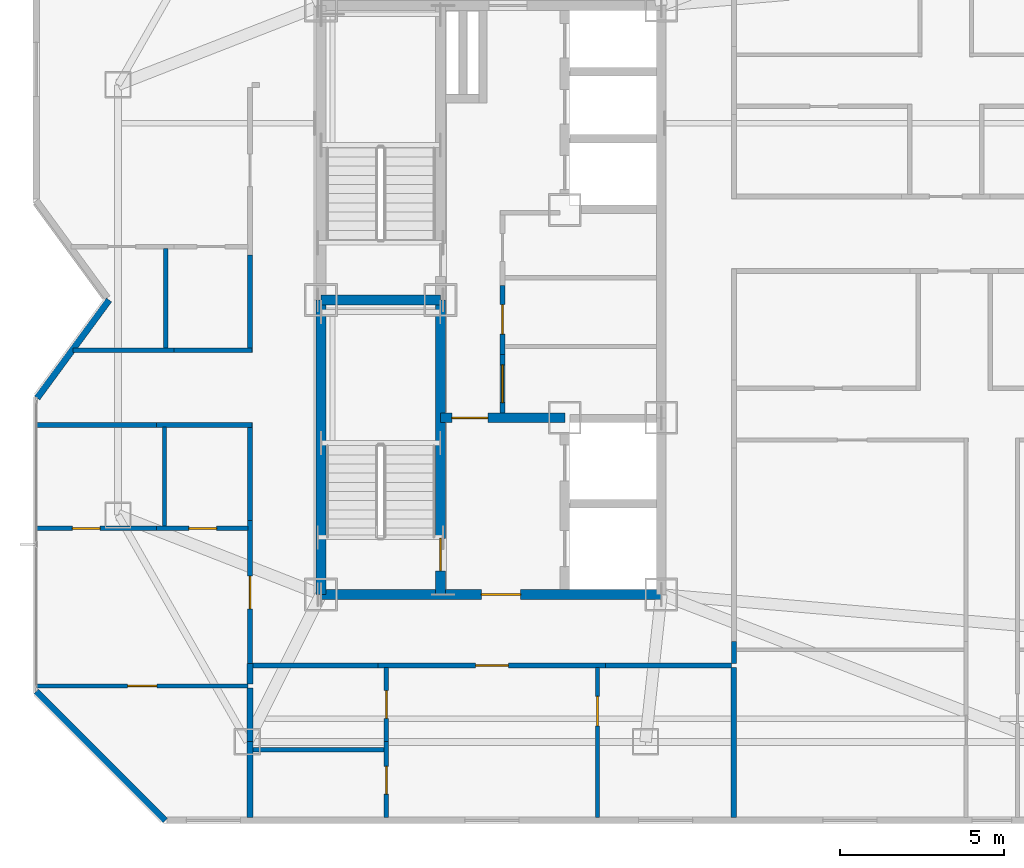
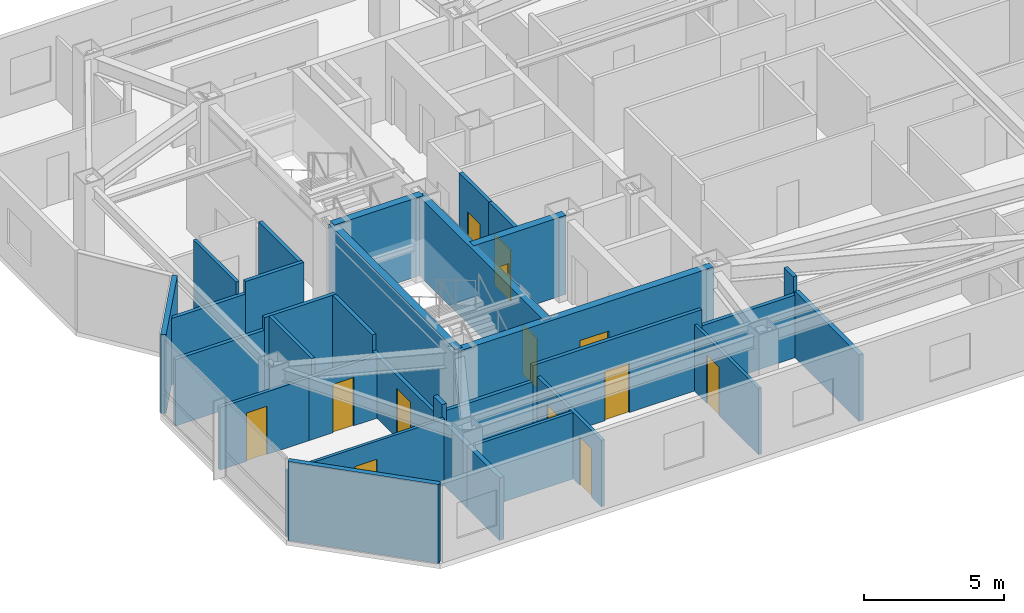
# One storey, part 8 of 14: 33 walls, 13 doors, 13 openings.
"""IFC4 building model written with IfcOpenShell, lengths in metres."""

from ifc_helpers import new_model, si_unit, direction, frame, frame_2d, origin, place, context, subcontext, project, spatial, rectangle, extrude, material, layer, layer_set, type_object, element, fill, save


model = new_model("IFC4")

# Units and contexts
model_context = context("Model", 3, precision=1e-05, world=origin(), true_north=direction((0.0, 1.0)))
body_context = subcontext(model_context, "Body", "Model", "MODEL_VIEW")
ifc_project = project(units=[si_unit("LENGTHUNIT", "METRE"), si_unit("AREAUNIT", "SQUARE_METRE"), si_unit("VOLUMEUNIT", "CUBIC_METRE"), si_unit("PLANEANGLEUNIT", "RADIAN"), si_unit("MASSUNIT", "GRAM", prefix="KILO")], contexts=[model_context])

# Site, building, storey
site_placement = place(None, origin())
site = spatial("IfcSite", under=ifc_project, at=site_placement, CompositionType="ELEMENT")
building_placement = place(site_placement, origin())
building = spatial("IfcBuilding", under=site, at=building_placement, Name="Khamvora Tower", CompositionType="ELEMENT")
storey_placement = place(building_placement, frame((0.0, 0.0, 242.75)))
storey = spatial("IfcBuildingStorey", under=building, at=storey_placement, Name="L62", CompositionType="ELEMENT", Elevation=242.75)

# Wall
ifc_material_1 = material(Name="Concrete C50/60", Category="concrete")
ifc_layer_1 = layer(ifc_material_1, 0.300048828125)
ifc_layer_set_1 = layer_set([ifc_layer_1], Name="Concrete C50/60")
wall_type_1 = type_object("IfcWallType", Name="WAL-CORE-300", PredefinedType="SHEAR", material=ifc_layer_set_1)
wall_1_placement = place(storey_placement, frame((29.0, 19.0, 0.0), z_axis=(0.0, 0.0, 1.0), x_axis=(0.0, 1.0, 0.0)))
element("IfcWall", 1, at=wall_1_placement, inside=storey, type_object=wall_type_1, Name="L62 central core west south wall", PredefinedType="SHEAR", context=body_context, shape_type="SweptSolid", body=[
    extrude(rectangle(XDim=9.0, YDim=0.300048828125, at=frame_2d((4.5, 0.0))), origin(), (0.0, 0.0, 1.0), 3.429931640625),
])

# Wall, opening, door
wall_2_placement = place(storey_placement, frame((29.0, 19.0, 0.0), z_axis=(0.0, 0.0, 1.0), x_axis=(1.0, 0.0, 0.0)))
wall_2 = element("IfcWall", 2, at=wall_2_placement, inside=storey, type_object=wall_type_1, Name="L62 central core south wall", PredefinedType="SHEAR", context=body_context, shape_type="SweptSolid", body=[
    extrude(rectangle(XDim=10.39990234375, YDim=0.300048828125, at=frame_2d((5.199951171875, 0.0))), origin(), (0.0, 0.0, 1.0), 3.429931640625),
])
opening_1_placement = place(wall_2_placement, frame((4.89990234375, 0.0, 0.0)))
opening_1 = element("IfcOpeningElement", 3, at=opening_1_placement, cuts=wall_2, Name="Opening D-CR1", PredefinedType="OPENING", context=body_context, shape_type="SweptSolid", body=[
    extrude(rectangle(XDim=1.199951171875, YDim=2.14990234375, at=frame_2d((0.60009765625, 1.074951171875))), frame((0.0, 0.159912109375, 0.0), z_axis=(0.0, -1.0, 0.0), x_axis=(1.0, 0.0, 0.0)), (0.0, 0.0, 1.0), 0.320068359375),
])
ifc_material_2 = material(Name="Powder-Coated Steel and Hardwood Leaf", Category="steel")
door_type_1 = type_object("IfcDoorType", Name="DOR-CORR-1200", OperationType="NOTDEFINED", PredefinedType="DOOR", material=ifc_material_2)
door_1_placement = place(opening_1_placement, origin())
door_1 = element("IfcDoor", 4, at=door_1_placement, inside=storey, type_object=door_type_1, Name="L62 south core lobby to corridor fire door", OperationType="SINGLE_SWING_LEFT", OverallHeight=2.14990234375, OverallWidth=1.199951171875, PredefinedType="DOOR", context=body_context, shape_type="SweptSolid", body=[
    extrude(rectangle(XDim=1.199951171875, YDim=2.14990234375, at=frame_2d((0.60009765625, 1.074951171875))), frame((0.0, 0.02490234375, 0.0), z_axis=(0.0, -1.0, 0.0), x_axis=(1.0, 0.0, 0.0)), (0.0, 0.0, 1.0), 0.050048828125),
])
fill(opening_1, door_1)

wall_3_placement = place(storey_placement, frame((32.64990234375, 19.0, 0.0), z_axis=(0.0, 0.0, 1.0), x_axis=(0.0, 1.0, 0.0)))
wall_3 = element("IfcWall", 5, at=wall_3_placement, inside=storey, type_object=wall_type_1, Name="L62 central core stair south spine wall", PredefinedType="SHEAR", context=body_context, shape_type="SweptSolid", body=[
    extrude(rectangle(XDim=9.0, YDim=0.300048828125, at=frame_2d((4.5, 0.0))), origin(), (0.0, 0.0, 1.0), 3.429931640625),
])
opening_2_placement = place(wall_3_placement, frame((0.719970703125, 0.0, 0.0)))
opening_2 = element("IfcOpeningElement", 6, at=opening_2_placement, cuts=wall_3, Name="Opening D-ST1", PredefinedType="OPENING", context=body_context, shape_type="SweptSolid", body=[
    extrude(rectangle(XDim=1.0, YDim=2.14990234375, at=frame_2d((0.5, 1.074951171875))), frame((0.0, 0.159912109375, 0.0), z_axis=(0.0, -1.0, 0.0), x_axis=(1.0, 0.0, 0.0)), (0.0, 0.0, 1.0), 0.320068359375),
])
door_type_2 = type_object("IfcDoorType", Name="DOR-STAIR-1000", OperationType="NOTDEFINED", PredefinedType="DOOR", material=ifc_material_2)
door_2_placement = place(opening_2_placement, origin())
door_2 = element("IfcDoor", 7, at=door_2_placement, inside=storey, type_object=door_type_2, Name="L62 exit stair ST-01 fire door", OperationType="SINGLE_SWING_RIGHT", OverallHeight=2.14990234375, OverallWidth=1.0, PredefinedType="DOOR", context=body_context, shape_type="SweptSolid", body=[
    extrude(rectangle(XDim=1.0, YDim=2.14990234375, at=frame_2d((0.5, 1.074951171875))), frame((0.0, 0.02490234375, 0.0), z_axis=(0.0, -1.0, 0.0), x_axis=(1.0, 0.0, 0.0)), (0.0, 0.0, 1.0), 0.050048828125),
])
fill(opening_2, door_2)

# Wall
wall_4_placement = place(storey_placement, frame((29.0, 28.0, 0.0), z_axis=(0.0, 0.0, 1.0), x_axis=(1.0, 0.0, 0.0)))
element("IfcWall", 8, at=wall_4_placement, inside=storey, type_object=wall_type_1, Name="L62 central core stair cross wall", PredefinedType="SHEAR", context=body_context, shape_type="SweptSolid", body=[
    extrude(rectangle(XDim=3.64990234375, YDim=0.300048828125, at=frame_2d((1.824951171875, 0.0))), origin(), (0.0, 0.0, 1.0), 3.429931640625),
])

# Wall, opening, door
wall_5_placement = place(storey_placement, frame((32.64990234375, 24.39990234375, 0.0), z_axis=(0.0, 0.0, 1.0), x_axis=(1.0, 0.0, 0.0)))
wall_5 = element("IfcWall", 9, at=wall_5_placement, inside=storey, type_object=wall_type_1, Name="L62 central core firefighting lobby north wall", PredefinedType="SHEAR", context=body_context, shape_type="SweptSolid", body=[
    extrude(rectangle(XDim=3.800048828125, YDim=0.300048828125, at=frame_2d((1.89990234375, 0.0))), origin(), (0.0, 0.0, 1.0), 3.429931640625),
])
opening_3_placement = place(wall_5_placement, frame((0.35009765625, 0.0, 0.0)))
opening_3 = element("IfcOpeningElement", 10, at=opening_3_placement, cuts=wall_5, Name="Opening D-FF1", PredefinedType="OPENING", context=body_context, shape_type="SweptSolid", body=[
    extrude(rectangle(XDim=1.10009765625, YDim=2.14990234375, at=frame_2d((0.550048828125, 1.074951171875))), frame((0.0, 0.159912109375, 0.0), z_axis=(0.0, -1.0, 0.0), x_axis=(1.0, 0.0, 0.0)), (0.0, 0.0, 1.0), 0.320068359375),
])
door_type_3 = type_object("IfcDoorType", Name="DOR-FFLOB-1100", OperationType="NOTDEFINED", PredefinedType="DOOR", material=ifc_material_2)
door_3_placement = place(opening_3_placement, origin())
door_3 = element("IfcDoor", 11, at=door_3_placement, inside=storey, type_object=door_type_3, Name="L62 firefighting lobby smoke-seal fire door", OperationType="SINGLE_SWING_RIGHT", OverallHeight=2.14990234375, OverallWidth=1.10009765625, PredefinedType="DOOR", context=body_context, shape_type="SweptSolid", body=[
    extrude(rectangle(XDim=1.10009765625, YDim=2.14990234375, at=frame_2d((0.550048828125, 1.074951171875))), frame((0.0, 0.02490234375, 0.0), z_axis=(0.0, -1.0, 0.0), x_axis=(1.0, 0.0, 0.0)), (0.0, 0.0, 1.0), 0.050048828125),
])
fill(opening_3, door_3)

ifc_material_3 = material(Name="Fire-Rated Drywall and Steel Stud", Category="steel")
ifc_layer_2 = layer(ifc_material_3, 0.14990234375)
ifc_layer_set_2 = layer_set([ifc_layer_2], Name="Fire-Rated Drywall and Steel Stud")
wall_type_2 = type_object("IfcWallType", Name="WAL-CORR-150", PredefinedType="STANDARD", material=ifc_layer_set_2)
wall_6_placement = place(storey_placement, frame((34.544921875, 28.43603515625, 0.0), z_axis=(0.0, 0.0, 1.0), x_axis=(0.0, -1.0, 0.0)))
wall_6 = element("IfcWall", 12, at=wall_6_placement, inside=storey, type_object=wall_type_2, Name="L62 interior partition wall 003", PredefinedType="STANDARD", context=body_context, shape_type="SweptSolid", body=[
    extrude(rectangle(XDim=2.10009765625, YDim=0.14990234375, at=frame_2d((1.050048828125, 0.0))), origin(), (0.0, 0.0, 1.0), 3.429931640625),
])
opening_4_placement = place(wall_6_placement, frame((0.5791015625, 0.0, 0.0)))
opening_4 = element("IfcOpeningElement", 13, at=opening_4_placement, cuts=wall_6, Name="Opening D-RM1", PredefinedType="OPENING", context=body_context, shape_type="SweptSolid", body=[
    extrude(rectangle(XDim=0.89990234375, YDim=2.10009765625, at=frame_2d((0.449951171875, 1.050048828125))), frame((0.0, 0.0849609375, 0.0), z_axis=(0.0, -1.0, 0.0), x_axis=(1.0, 0.0, 0.0)), (0.0, 0.0, 1.0), 0.169921875),
])
door_type_4 = type_object("IfcDoorType", Name="DOR-ROOM-900", OperationType="NOTDEFINED", PredefinedType="DOOR", material=ifc_material_2)
door_4_placement = place(opening_4_placement, origin())
door_4 = element("IfcDoor", 14, at=door_4_placement, inside=storey, type_object=door_type_4, Name="L62 interior door PHL-CS2", OperationType="SINGLE_SWING_RIGHT", OverallHeight=2.10009765625, OverallWidth=0.89990234375, PredefinedType="DOOR", context=body_context, shape_type="SweptSolid", body=[
    extrude(rectangle(XDim=0.89990234375, YDim=2.10009765625, at=frame_2d((0.449951171875, 1.050048828125))), frame((0.0, 0.02490234375, 0.0), z_axis=(0.0, -1.0, 0.0), x_axis=(1.0, 0.0, 0.0)), (0.0, 0.0, 1.0), 0.050048828125),
])
fill(opening_4, door_4)

wall_7_placement = place(storey_placement, frame((34.544921875, 26.3359375, 0.0), z_axis=(0.0, 0.0, 1.0), x_axis=(0.0, -1.0, 0.0)))
wall_7 = element("IfcWall", 15, at=wall_7_placement, inside=storey, type_object=wall_type_2, Name="L62 interior partition wall 004", PredefinedType="STANDARD", context=body_context, shape_type="SweptSolid", body=[
    extrude(rectangle(XDim=1.7919921875, YDim=0.14990234375, at=frame_2d((0.89599609375, 0.0))), origin(), (0.0, 0.0, 1.0), 3.429931640625),
])
opening_5_placement = place(wall_7_placement, frame((0.321044921875, 0.0, 0.0)))
opening_5 = element("IfcOpeningElement", 16, at=opening_5_placement, cuts=wall_7, Name="Opening D-SC1", PredefinedType="OPENING", context=body_context, shape_type="SweptSolid", body=[
    extrude(rectangle(XDim=1.14990234375, YDim=2.199951171875, at=frame_2d((0.574951171875, 1.10009765625))), frame((0.0, 0.0849609375, 0.0), z_axis=(0.0, -1.0, 0.0), x_axis=(1.0, 0.0, 0.0)), (0.0, 0.0, 1.0), 0.169921875),
])
door_type_5 = type_object("IfcDoorType", Name="DOR-SCHL-1150", OperationType="NOTDEFINED", PredefinedType="DOOR", material=ifc_material_2)
door_5_placement = place(opening_5_placement, origin())
door_5 = element("IfcDoor", 17, at=door_5_placement, inside=storey, type_object=door_type_5, Name="L62 interior door PHL-CS3", OperationType="SINGLE_SWING_LEFT", OverallHeight=2.199951171875, OverallWidth=1.14990234375, PredefinedType="DOOR", context=body_context, shape_type="SweptSolid", body=[
    extrude(rectangle(XDim=1.14990234375, YDim=2.199951171875, at=frame_2d((0.574951171875, 1.10009765625))), frame((0.0, 0.02490234375, 0.0), z_axis=(0.0, -1.0, 0.0), x_axis=(1.0, 0.0, 0.0)), (0.0, 0.0, 1.0), 0.050048828125),
])
fill(opening_5, door_5)

wall_8_placement = place(storey_placement, frame((26.8349609375, 16.89990234375, 0.0), z_axis=(0.0, 0.0, 1.0), x_axis=(0.0, 1.0, 0.0)))
wall_8 = element("IfcWall", 18, at=wall_8_placement, inside=storey, type_object=wall_type_2, Name="L62 interior partition wall 008", PredefinedType="STANDARD", context=body_context, shape_type="SweptSolid", body=[
    extrude(rectangle(XDim=4.369140625, YDim=0.14990234375, at=frame_2d((2.1845703125, 0.0))), origin(), (0.0, 0.0, 1.0), 2.72509765625),
])
opening_6_placement = place(wall_8_placement, frame((1.6630859375, 0.0, 0.0)))
opening_6 = element("IfcOpeningElement", 19, at=opening_6_placement, cuts=wall_8, Name="Opening D-U1", PredefinedType="OPENING", context=body_context, shape_type="SweptSolid", body=[
    extrude(rectangle(XDim=1.0, YDim=2.14990234375, at=frame_2d((0.5, 1.074951171875))), frame((0.0, 0.0849609375, 0.0), z_axis=(0.0, -1.0, 0.0), x_axis=(1.0, 0.0, 0.0)), (0.0, 0.0, 1.0), 0.169921875),
])
door_type_6 = type_object("IfcDoorType", Name="DOR-UNIT-1000", OperationType="NOTDEFINED", PredefinedType="DOOR", material=ifc_material_2)
door_6_placement = place(opening_6_placement, origin())
door_6 = element("IfcDoor", 20, at=door_6_placement, inside=storey, type_object=door_type_6, Name="L62 interior door COR-62WAH", OperationType="SINGLE_SWING_LEFT", OverallHeight=2.14990234375, OverallWidth=1.0, PredefinedType="DOOR", context=body_context, shape_type="SweptSolid", body=[
    extrude(rectangle(XDim=1.0, YDim=2.14990234375, at=frame_2d((0.5, 1.074951171875))), frame((0.0, 0.02490234375, 0.0), z_axis=(0.0, -1.0, 0.0), x_axis=(1.0, 0.0, 0.0)), (0.0, 0.0, 1.0), 0.050048828125),
])
fill(opening_6, door_6)

# Walls
wall_9_placement = place(storey_placement, frame((26.8349609375, 21.26904296875, 0.0), z_axis=(0.0, 0.0, 1.0), x_axis=(0.0, 1.0, 0.0)))
element("IfcWall", 21, at=wall_9_placement, inside=storey, type_object=wall_type_2, Name="L62 interior partition wall 009", PredefinedType="STANDARD", context=body_context, shape_type="SweptSolid", body=[
    extrude(rectangle(XDim=2.98095703125, YDim=0.14990234375, at=frame_2d((1.490478515625, 0.0))), origin(), (0.0, 0.0, 1.0), 3.429931640625),
])
wall_10_placement = place(storey_placement, frame((26.89794921875, 24.18505859375, 0.0), z_axis=(0.0, 0.0, 1.0), x_axis=(-1.0, 0.0, 0.0)))
element("IfcWall", 22, at=wall_10_placement, inside=storey, type_object=wall_type_2, Name="L62 interior partition wall 010", PredefinedType="STANDARD", context=body_context, shape_type="SweptSolid", body=[
    extrude(rectangle(XDim=2.927001953125, YDim=0.14990234375, at=frame_2d((1.46337890625, 0.0))), origin(), (0.0, 0.0, 1.0), 3.429931640625),
])
wall_11_placement = place(storey_placement, frame((23.970947265625, 24.18505859375, 0.0), z_axis=(0.0, 0.0, 1.0), x_axis=(-1.0, 0.0, 0.0)))
element("IfcWall", 23, at=wall_11_placement, inside=storey, type_object=wall_type_2, Name="L62 interior partition wall 011", PredefinedType="STANDARD", context=body_context, shape_type="SweptSolid", body=[
    extrude(rectangle(XDim=3.660888671875, YDim=0.14990234375, at=frame_2d((1.83056640625, 0.0))), origin(), (0.0, 0.0, 1.0), 2.886962890625),
])
wall_12_placement = place(storey_placement, frame((21.427001953125, 26.465087890625, 0.0), z_axis=(0.0, 0.0, 1.0), x_axis=(1.0, 0.0, 0.0)))
element("IfcWall", 24, at=wall_12_placement, inside=storey, type_object=wall_type_2, Name="L62 interior partition wall 014", PredefinedType="STANDARD", context=body_context, shape_type="SweptSolid", body=[
    extrude(rectangle(XDim=3.08203125, YDim=0.14990234375, at=frame_2d((1.541015625, 0.0))), origin(), (0.0, 0.0, 1.0), 2.886962890625),
])
wall_13_placement = place(storey_placement, frame((24.509033203125, 26.465087890625, 0.0), z_axis=(0.0, 0.0, 1.0), x_axis=(1.0, 0.0, 0.0)))
element("IfcWall", 25, at=wall_13_placement, inside=storey, type_object=wall_type_2, Name="L62 interior partition wall 015", PredefinedType="STANDARD", context=body_context, shape_type="SweptSolid", body=[
    extrude(rectangle(XDim=2.390869140625, YDim=0.14990234375, at=frame_2d((1.1953125, 0.0))), origin(), (0.0, 0.0, 1.0), 3.429931640625),
])
wall_14_placement = place(storey_placement, frame((26.8349609375, 26.39990234375, 0.0), z_axis=(0.0, 0.0, 1.0), x_axis=(0.0, 1.0, 0.0)))
element("IfcWall", 26, at=wall_14_placement, inside=storey, type_object=wall_type_2, Name="L62 interior partition wall 016", PredefinedType="STANDARD", context=body_context, shape_type="SweptSolid", body=[
    extrude(rectangle(XDim=2.981201171875, YDim=0.14990234375, at=frame_2d((1.49072265625, 0.0))), origin(), (0.0, 0.0, 1.0), 3.429931640625),
])

# Wall, opening, door
wall_15_placement = place(storey_placement, frame((37.698974609375, 16.8349609375, 0.0), z_axis=(0.0, 0.0, 1.0), x_axis=(-1.0, 0.0, 0.0)))
wall_15 = element("IfcWall", 27, at=wall_15_placement, inside=storey, type_object=wall_type_2, Name="L62 interior partition wall 017", PredefinedType="STANDARD", context=body_context, shape_type="SweptSolid", body=[
    extrude(rectangle(XDim=6.947998046875, YDim=0.14990234375, at=frame_2d((3.47412109375, 0.0))), origin(), (0.0, 0.0, 1.0), 3.429931640625),
])
opening_7_placement = place(wall_15_placement, frame((2.97412109375, 0.0, 0.0)))
opening_7 = element("IfcOpeningElement", 28, at=opening_7_placement, cuts=wall_15, Name="Opening D-U1", PredefinedType="OPENING", context=body_context, shape_type="SweptSolid", body=[
    extrude(rectangle(XDim=1.0, YDim=2.14990234375, at=frame_2d((0.5, 1.074951171875))), frame((0.0, 0.0849609375, 0.0), z_axis=(0.0, -1.0, 0.0), x_axis=(1.0, 0.0, 0.0)), (0.0, 0.0, 1.0), 0.169921875),
])
door_7_placement = place(opening_7_placement, origin())
door_7 = element("IfcDoor", 29, at=door_7_placement, inside=storey, type_object=door_type_6, Name="L62 interior door COR-62SAH", OperationType="SINGLE_SWING_LEFT", OverallHeight=2.14990234375, OverallWidth=1.0, PredefinedType="DOOR", context=body_context, shape_type="SweptSolid", body=[
    extrude(rectangle(XDim=1.0, YDim=2.14990234375, at=frame_2d((0.5, 1.074951171875))), frame((0.0, 0.02490234375, 0.0), z_axis=(0.0, -1.0, 0.0), x_axis=(1.0, 0.0, 0.0)), (0.0, 0.0, 1.0), 0.050048828125),
])
fill(opening_7, door_7)

# Walls
for number, where, z_axis, x_axis, name in (
    (30, (30.7509765625, 16.8349609375, 0.0), (0.0, 0.0, 1.0), (-1.0, 0.0, 0.0), "L62 interior partition wall 018"),
    (31, (41.550048828125, 16.8349609375, 0.0), (0.0, 0.0, 1.0), (-1.0, 0.0, 0.0), "L62 interior partition wall 019"),
):
    element("IfcWall", number, at=place(storey_placement, frame(where, z_axis=z_axis, x_axis=x_axis)), inside=storey, type_object=wall_type_2, Name=name, PredefinedType="STANDARD", context=body_context, shape_type="SweptSolid", body=[
        extrude(rectangle(XDim=3.85107421875, YDim=0.14990234375, at=frame_2d((1.925537109375, 0.0))), origin(), (0.0, 0.0, 1.0), 2.72509765625),
    ])
wall_16_placement = place(storey_placement, frame((41.614990234375, 17.56201171875, 0.0), z_axis=(0.0, 0.0, 1.0), x_axis=(0.0, -1.0, 0.0)))
element("IfcWall", 32, at=wall_16_placement, inside=storey, type_object=wall_type_2, Name="L62 interior partition wall 025", PredefinedType="STANDARD", context=body_context, shape_type="SweptSolid", body=[
    extrude(rectangle(XDim=0.662109375, YDim=0.14990234375, at=frame_2d((0.3310546875, 0.0))), origin(), (0.0, 0.0, 1.0), 3.429931640625),
])
ifc_material_4 = material(Name="Acoustic Double-Stud Fire Wall", Category="gypsum")
ifc_layer_3 = layer(ifc_material_4, 0.179931640625)
ifc_layer_set_3 = layer_set([ifc_layer_3], Name="Acoustic Double-Stud Fire Wall")
wall_type_3 = type_object("IfcWallType", Name="WAL-CORR-180", PredefinedType="STANDARD", material=ifc_layer_set_3)
wall_17_placement = place(storey_placement, frame((26.8349609375, 16.89990234375, 0.0), z_axis=(0.0, 0.0, 1.0), x_axis=(0.0, -1.0, 0.0)))
element("IfcWall", 33, at=wall_17_placement, inside=storey, type_object=wall_type_3, Name="L62 interior partition wall 044", PredefinedType="STANDARD", context=body_context, shape_type="SweptSolid", body=[
    extrude(rectangle(XDim=0.625, YDim=0.179931640625, at=frame_2d((0.3125, 0.0))), origin(), (0.0, 0.0, 1.0), 3.429931640625),
])
wall_18_placement = place(storey_placement, frame((26.8349609375, 14.509033203125, 0.0), z_axis=(0.0, 0.0, 1.0), x_axis=(0.0, -1.0, 0.0)))
element("IfcWall", 34, at=wall_18_placement, inside=storey, type_object=wall_type_3, Name="L62 interior partition wall 046", PredefinedType="STANDARD", context=body_context, shape_type="SweptSolid", body=[
    extrude(rectangle(XDim=2.317138671875, YDim=0.179931640625, at=frame_2d((1.15869140625, 0.0))), origin(), (0.0, 0.0, 1.0), 2.72509765625),
])
wall_19_placement = place(storey_placement, frame((26.8349609375, 16.14501953125, 0.0), z_axis=(0.0, 0.0, 1.0), x_axis=(0.0, -1.0, 0.0)))
element("IfcWall", 35, at=wall_19_placement, inside=storey, type_object=wall_type_3, Name="L62 interior partition wall 047", PredefinedType="STANDARD", context=body_context, shape_type="SweptSolid", body=[
    extrude(rectangle(XDim=1.635986328125, YDim=0.179931640625, at=frame_2d((0.81787109375, 0.0))), origin(), (0.0, 0.0, 1.0), 2.72509765625),
])
wall_20_placement = place(storey_placement, frame((41.614990234375, 16.77001953125, 0.0), z_axis=(0.0, 0.0, 1.0), x_axis=(0.0, -1.0, 0.0)))
element("IfcWall", 36, at=wall_20_placement, inside=storey, type_object=wall_type_3, Name="L62 interior partition wall 056", PredefinedType="STANDARD", context=body_context, shape_type="SweptSolid", body=[
    extrude(rectangle(XDim=4.578125, YDim=0.179931640625, at=frame_2d((2.2890625, 0.0))), origin(), (0.0, 0.0, 1.0), 2.886962890625),
])
ifc_material_5 = material(Name="Precast concrete C40/50", Category="concrete")
ifc_layer_4 = layer(ifc_material_5, 0.199951171875)
ifc_layer_set_4 = layer_set([ifc_layer_4], Name="Precast concrete C40/50")
wall_type_4 = type_object("IfcWallType", Name="WAL-EXT-200", PredefinedType="STANDARD", material=ifc_layer_set_4)
wall_21_placement = place(storey_placement, frame((24.240966796875, 12.10009765625, 0.0), z_axis=(0.0, 0.0, 1.0), x_axis=(-0.707106781187, 0.707106781187, 0.0)))
element("IfcWall", 37, at=wall_21_placement, inside=storey, type_object=wall_type_4, Name="L62 exterior facade wall 01.1", PredefinedType="STANDARD", context=body_context, shape_type="SweptSolid", body=[
    extrude(rectangle(XDim=5.5732421875, YDim=0.199951171875, at=frame_2d((2.78662109375, 0.0))), origin(), (0.0, 0.0, 1.0), 3.429931640625),
])
wall_22_placement = place(storey_placement, frame((20.3291015625, 25.007080078125, 0.0), z_axis=(0.0, 0.0, 1.0), x_axis=(0.591366515379, 0.806402904564, 0.0)))
element("IfcWall", 38, at=wall_22_placement, inside=storey, type_object=wall_type_4, Name="L62 exterior facade wall 03.1", PredefinedType="STANDARD", context=body_context, shape_type="SweptSolid", body=[
    extrude(rectangle(XDim=3.71142578125, YDim=0.199951171875, at=frame_2d((1.855712890625, 0.0))), origin(), (0.0, 0.0, 1.0), 3.429931640625),
])

# Wall, opening, door
ifc_material_6 = material(Name="Gypsum Plasterboard Partition", Category="gypsum")
ifc_layer_5 = layer(ifc_material_6, 0.1201171875)
ifc_layer_set_5 = layer_set([ifc_layer_5], Name="Gypsum Plasterboard Partition")
wall_type_5 = type_object("IfcWallType", Name="WAL-PART-120", PredefinedType="PARTITIONING", material=ifc_layer_set_5)
wall_23_placement = place(storey_placement, frame((26.77001953125, 16.2099609375, 0.0), z_axis=(0.0, 0.0, 1.0), x_axis=(-1.0, 0.0, 0.0)))
wall_23 = element("IfcWall", 39, at=wall_23_placement, inside=storey, type_object=wall_type_5, Name="L62 interior partition wall 043", PredefinedType="PARTITIONING", context=body_context, shape_type="SweptSolid", body=[
    extrude(rectangle(XDim=6.4599609375, YDim=0.1201171875, at=frame_2d((3.22998046875, 0.0))), origin(), (0.0, 0.0, 1.0), 2.886962890625),
])
opening_8_placement = place(wall_23_placement, frame((2.780029296875, 0.0, 0.0)))
opening_8 = element("IfcOpeningElement", 40, at=opening_8_placement, cuts=wall_23, Name="Opening D-RM1", PredefinedType="OPENING", context=body_context, shape_type="SweptSolid", body=[
    extrude(rectangle(XDim=0.89990234375, YDim=2.10009765625, at=frame_2d((0.449951171875, 1.050048828125))), frame((0.0, 0.070068359375, 0.0), z_axis=(0.0, -1.0, 0.0), x_axis=(1.0, 0.0, 0.0)), (0.0, 0.0, 1.0), 0.14013671875),
])
door_8_placement = place(opening_8_placement, origin())
door_8 = element("IfcDoor", 41, at=door_8_placement, inside=storey, type_object=door_type_4, Name="L62 interior door 62WAH-62WAR1", OperationType="SINGLE_SWING_LEFT", OverallHeight=2.10009765625, OverallWidth=0.89990234375, PredefinedType="DOOR", context=body_context, shape_type="SweptSolid", body=[
    extrude(rectangle(XDim=0.89990234375, YDim=2.10009765625, at=frame_2d((0.449951171875, 1.050048828125))), frame((0.0, 0.02490234375, 0.0), z_axis=(0.0, -1.0, 0.0), x_axis=(1.0, 0.0, 0.0)), (0.0, 0.0, 1.0), 0.050048828125),
])
fill(opening_8, door_8)

wall_24_placement = place(storey_placement, frame((37.449951171875, 16.77001953125, 0.0), z_axis=(0.0, 0.0, 1.0), x_axis=(0.0, -1.0, 0.0)))
wall_24 = element("IfcWall", 42, at=wall_24_placement, inside=storey, type_object=wall_type_5, Name="L62 interior partition wall 054", PredefinedType="PARTITIONING", context=body_context, shape_type="SweptSolid", body=[
    extrude(rectangle(XDim=4.578125, YDim=0.1201171875, at=frame_2d((2.2890625, 0.0))), origin(), (0.0, 0.0, 1.0), 2.886962890625),
])
opening_9_placement = place(wall_24_placement, frame((0.884033203125, 0.0, 0.0)))
opening_9 = element("IfcOpeningElement", 43, at=opening_9_placement, cuts=wall_24, Name="Opening D-RM1", PredefinedType="OPENING", context=body_context, shape_type="SweptSolid", body=[
    extrude(rectangle(XDim=0.89990234375, YDim=2.10009765625, at=frame_2d((0.449951171875, 1.050048828125))), frame((0.0, 0.070068359375, 0.0), z_axis=(0.0, -1.0, 0.0), x_axis=(1.0, 0.0, 0.0)), (0.0, 0.0, 1.0), 0.14013671875),
])
door_9_placement = place(opening_9_placement, origin())
door_9 = element("IfcDoor", 44, at=door_9_placement, inside=storey, type_object=door_type_4, Name="L62 interior door 62SAH-62SAR1", OperationType="SINGLE_SWING_RIGHT", OverallHeight=2.10009765625, OverallWidth=0.89990234375, PredefinedType="DOOR", context=body_context, shape_type="SweptSolid", body=[
    extrude(rectangle(XDim=0.89990234375, YDim=2.10009765625, at=frame_2d((0.449951171875, 1.050048828125))), frame((0.0, 0.02490234375, 0.0), z_axis=(0.0, -1.0, 0.0), x_axis=(1.0, 0.0, 0.0)), (0.0, 0.0, 1.0), 0.050048828125),
])
fill(opening_9, door_9)

ifc_material_7 = material(Name="Moisture-Resistant Plasterboard Partition", Category="gypsum")
ifc_layer_6 = layer(ifc_material_7, 0.135009765625)
ifc_layer_set_6 = layer_set([ifc_layer_6], Name="Moisture-Resistant Plasterboard Partition")
wall_type_6 = type_object("IfcWallType", Name="WAL-WET-135", PredefinedType="PARTITIONING", material=ifc_layer_set_6)
wall_25_placement = place(storey_placement, frame((23.970947265625, 21.02001953125, 0.0), z_axis=(0.0, 0.0, 1.0), x_axis=(1.0, 0.0, 0.0)))
wall_25 = element("IfcWall", 45, at=wall_25_placement, inside=storey, type_object=wall_type_6, Name="L62 interior partition wall 041", PredefinedType="PARTITIONING", context=body_context, shape_type="SweptSolid", body=[
    extrude(rectangle(XDim=2.799072265625, YDim=0.135009765625, at=frame_2d((1.3994140625, 0.0))), origin(), (0.0, 0.0, 1.0), 2.72509765625),
])
opening_10_placement = place(wall_25_placement, frame((0.9951171875, 0.0, 0.0)))
opening_10 = element("IfcOpeningElement", 46, at=opening_10_placement, cuts=wall_25, Name="Opening D-WC1", PredefinedType="OPENING", context=body_context, shape_type="SweptSolid", body=[
    extrude(rectangle(XDim=0.85009765625, YDim=2.10009765625, at=frame_2d((0.425048828125, 1.050048828125))), frame((0.0, 0.077392578125, 0.0), z_axis=(0.0, -1.0, 0.0), x_axis=(1.0, 0.0, 0.0)), (0.0, 0.0, 1.0), 0.155029296875),
])
door_type_7 = type_object("IfcDoorType", Name="DOR-WET-850", OperationType="NOTDEFINED", PredefinedType="DOOR", material=ifc_material_2)
door_10_placement = place(opening_10_placement, origin())
door_10 = element("IfcDoor", 47, at=door_10_placement, inside=storey, type_object=door_type_7, Name="L62 interior door 62WAH-62WAB", OperationType="SINGLE_SWING_RIGHT", OverallHeight=2.10009765625, OverallWidth=0.85009765625, PredefinedType="DOOR", context=body_context, shape_type="SweptSolid", body=[
    extrude(rectangle(XDim=0.85009765625, YDim=2.10009765625, at=frame_2d((0.425048828125, 1.050048828125))), frame((0.0, 0.02490234375, 0.0), z_axis=(0.0, -1.0, 0.0), x_axis=(1.0, 0.0, 0.0)), (0.0, 0.0, 1.0), 0.050048828125),
])
fill(opening_10, door_10)

wall_26_placement = place(storey_placement, frame((20.31005859375, 21.02001953125, 0.0), z_axis=(0.0, 0.0, 1.0), x_axis=(1.0, 0.0, 0.0)))
wall_26 = element("IfcWall", 48, at=wall_26_placement, inside=storey, type_object=wall_type_6, Name="L62 interior partition wall 042", PredefinedType="PARTITIONING", context=body_context, shape_type="SweptSolid", body=[
    extrude(rectangle(XDim=3.660888671875, YDim=0.135009765625, at=frame_2d((1.83056640625, 0.0))), origin(), (0.0, 0.0, 1.0), 2.72509765625),
])
opening_11_placement = place(wall_26_placement, frame((1.095947265625, 0.0, 0.0)))
opening_11 = element("IfcOpeningElement", 49, at=opening_11_placement, cuts=wall_26, Name="Opening D-RM2", PredefinedType="OPENING", context=body_context, shape_type="SweptSolid", body=[
    extrude(rectangle(XDim=0.85009765625, YDim=2.10009765625, at=frame_2d((0.425048828125, 1.050048828125))), frame((0.0, 0.077392578125, 0.0), z_axis=(0.0, -1.0, 0.0), x_axis=(1.0, 0.0, 0.0)), (0.0, 0.0, 1.0), 0.155029296875),
])
door_type_8 = type_object("IfcDoorType", Name="DOR-ROOM-850", OperationType="NOTDEFINED", PredefinedType="DOOR", material=ifc_material_2)
door_11_placement = place(opening_11_placement, origin())
door_11 = element("IfcDoor", 50, at=door_11_placement, inside=storey, type_object=door_type_8, Name="L62 interior door 62WAH-62WAK", OperationType="SINGLE_SWING_LEFT", OverallHeight=2.10009765625, OverallWidth=0.85009765625, PredefinedType="DOOR", context=body_context, shape_type="SweptSolid", body=[
    extrude(rectangle(XDim=0.85009765625, YDim=2.10009765625, at=frame_2d((0.425048828125, 1.050048828125))), frame((0.0, 0.02490234375, 0.0), z_axis=(0.0, -1.0, 0.0), x_axis=(1.0, 0.0, 0.0)), (0.0, 0.0, 1.0), 0.050048828125),
])
fill(opening_11, door_11)

# Walls
wall_27_placement = place(storey_placement, frame((24.219970703125, 21.0810546875, 0.0), z_axis=(0.0, 0.0, 1.0), x_axis=(0.0, 1.0, 0.0)))
element("IfcWall", 51, at=wall_27_placement, inside=storey, type_object=wall_type_6, Name="L62 interior partition wall 045", PredefinedType="PARTITIONING", context=body_context, shape_type="SweptSolid", body=[
    extrude(rectangle(XDim=3.036865234375, YDim=0.135009765625, at=frame_2d((1.5185546875, 0.0))), origin(), (0.0, 0.0, 1.0), 3.429931640625),
])
wall_28_placement = place(storey_placement, frame((24.260009765625, 29.569091796875, 0.0), z_axis=(0.0, 0.0, 1.0), x_axis=(0.0, -1.0, 0.0)))
element("IfcWall", 52, at=wall_28_placement, inside=storey, type_object=wall_type_6, Name="L62 interior partition wall 051", PredefinedType="PARTITIONING", context=body_context, shape_type="SweptSolid", body=[
    extrude(rectangle(XDim=3.0390625, YDim=0.135009765625, at=frame_2d((1.51953125, 0.0))), origin(), (0.0, 0.0, 1.0), 3.429931640625),
])

# Wall, opening, door
wall_29_placement = place(storey_placement, frame((31.0, 12.19189453125, 0.0), z_axis=(0.0, 0.0, 1.0), x_axis=(0.0, 1.0, 0.0)))
wall_29 = element("IfcWall", 53, at=wall_29_placement, inside=storey, type_object=wall_type_6, Name="L62 interior partition wall 052", PredefinedType="PARTITIONING", context=body_context, shape_type="SweptSolid", body=[
    extrude(rectangle(XDim=2.317138671875, YDim=0.135009765625, at=frame_2d((1.15869140625, 0.0))), origin(), (0.0, 0.0, 1.0), 2.886962890625),
])
opening_12_placement = place(wall_29_placement, frame((0.7119140625, 0.0, 0.0)))
opening_12 = element("IfcOpeningElement", 54, at=opening_12_placement, cuts=wall_29, Name="Opening D-WC1", PredefinedType="OPENING", context=body_context, shape_type="SweptSolid", body=[
    extrude(rectangle(XDim=0.85009765625, YDim=2.10009765625, at=frame_2d((0.425048828125, 1.050048828125))), frame((0.0, 0.077392578125, 0.0), z_axis=(0.0, -1.0, 0.0), x_axis=(1.0, 0.0, 0.0)), (0.0, 0.0, 1.0), 0.155029296875),
])
door_12_placement = place(opening_12_placement, origin())
door_12 = element("IfcDoor", 55, at=door_12_placement, inside=storey, type_object=door_type_7, Name="L62 interior door 62SAH-62SAB", OperationType="SINGLE_SWING_LEFT", OverallHeight=2.10009765625, OverallWidth=0.85009765625, PredefinedType="DOOR", context=body_context, shape_type="SweptSolid", body=[
    extrude(rectangle(XDim=0.85009765625, YDim=2.10009765625, at=frame_2d((0.425048828125, 1.050048828125))), frame((0.0, 0.02490234375, 0.0), z_axis=(0.0, -1.0, 0.0), x_axis=(1.0, 0.0, 0.0)), (0.0, 0.0, 1.0), 0.050048828125),
])
fill(opening_12, door_12)

wall_30_placement = place(storey_placement, frame((31.0, 14.509033203125, 0.0), z_axis=(0.0, 0.0, 1.0), x_axis=(0.0, 1.0, 0.0)))
wall_30 = element("IfcWall", 56, at=wall_30_placement, inside=storey, type_object=wall_type_6, Name="L62 interior partition wall 053", PredefinedType="PARTITIONING", context=body_context, shape_type="SweptSolid", body=[
    extrude(rectangle(XDim=2.260986328125, YDim=0.135009765625, at=frame_2d((1.13037109375, 0.0))), origin(), (0.0, 0.0, 1.0), 2.886962890625),
])
opening_13_placement = place(wall_30_placement, frame((0.7060546875, 0.0, 0.0)))
opening_13 = element("IfcOpeningElement", 57, at=opening_13_placement, cuts=wall_30, Name="Opening D-RM2", PredefinedType="OPENING", context=body_context, shape_type="SweptSolid", body=[
    extrude(rectangle(XDim=0.85009765625, YDim=2.10009765625, at=frame_2d((0.425048828125, 1.050048828125))), frame((0.0, 0.077392578125, 0.0), z_axis=(0.0, -1.0, 0.0), x_axis=(1.0, 0.0, 0.0)), (0.0, 0.0, 1.0), 0.155029296875),
])
door_13_placement = place(opening_13_placement, origin())
door_13 = element("IfcDoor", 58, at=door_13_placement, inside=storey, type_object=door_type_8, Name="L62 interior door 62SAH-62SAK", OperationType="SINGLE_SWING_RIGHT", OverallHeight=2.10009765625, OverallWidth=0.85009765625, PredefinedType="DOOR", context=body_context, shape_type="SweptSolid", body=[
    extrude(rectangle(XDim=0.85009765625, YDim=2.10009765625, at=frame_2d((0.425048828125, 1.050048828125))), frame((0.0, 0.02490234375, 0.0), z_axis=(0.0, -1.0, 0.0), x_axis=(1.0, 0.0, 0.0)), (0.0, 0.0, 1.0), 0.050048828125),
])
fill(opening_13, door_13)

# Wall
wall_31_placement = place(storey_placement, frame((26.9169921875, 14.260009765625, 0.0), z_axis=(0.0, 0.0, 1.0), x_axis=(1.0, 0.0, 0.0)))
element("IfcWall", 59, at=wall_31_placement, inside=storey, type_object=wall_type_6, Name="L62 interior partition wall 055", PredefinedType="PARTITIONING", context=body_context, shape_type="SweptSolid", body=[
    extrude(rectangle(XDim=4.02197265625, YDim=0.135009765625, at=frame_2d((2.010986328125, 0.0))), origin(), (0.0, 0.0, 1.0), 2.886962890625),
])

save(model, "model.ifc")
